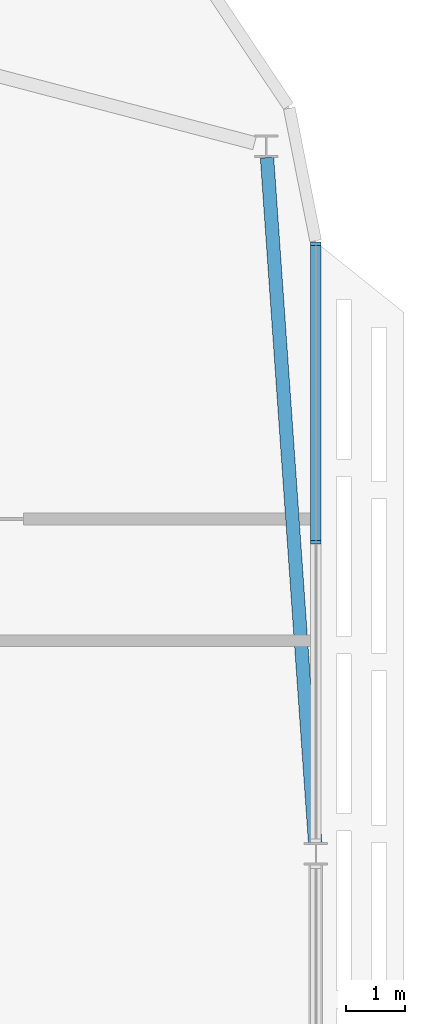
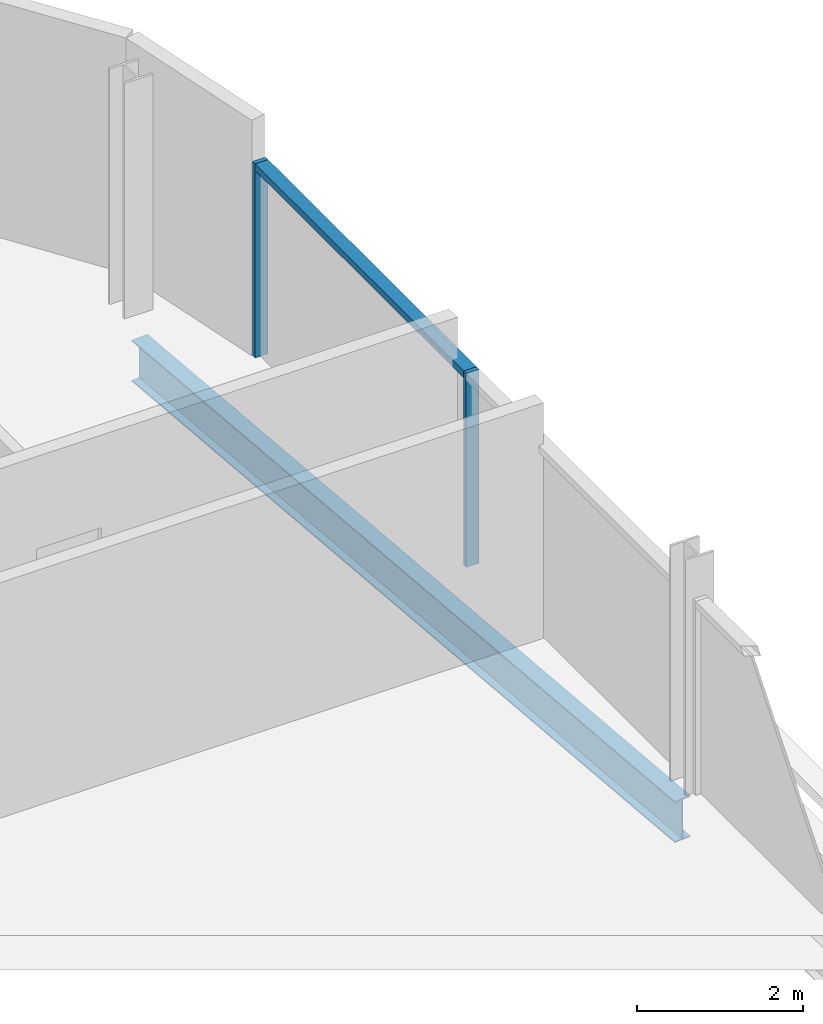
# One storey, part 15 of 32: 3 members, 1 beam, 1 element without a shape of its own.
"""IFC4 building model written with IfcOpenShell, lengths in metres."""

from ifc_helpers import new_model, si_unit, direction, frame, origin, origin_2d, place, context, subcontext, project, spatial, rectangle, i_section, extrude, material, material_profile, profile_set, type_object, element, aggregate, save


model = new_model("IFC4")

# Units and contexts
model_context = context("Model", 3, precision=1e-05, world=origin(), true_north=direction((0.0, 1.0)))
body_context = subcontext(model_context, "Body", "Model", "MODEL_VIEW")
ifc_project = project(units=[si_unit("LENGTHUNIT", "METRE"), si_unit("AREAUNIT", "SQUARE_METRE"), si_unit("VOLUMEUNIT", "CUBIC_METRE"), si_unit("PLANEANGLEUNIT", "RADIAN"), si_unit("MASSUNIT", "GRAM", prefix="KILO")], contexts=[model_context])

# Site, building, storey
site_placement = place(None, origin())
site = spatial("IfcSite", under=ifc_project, at=site_placement, CompositionType="ELEMENT")
building_placement = place(site_placement, origin())
building = spatial("IfcBuilding", under=site, at=building_placement, Name="Mahtab Terrace Research Tower", CompositionType="ELEMENT")
storey_placement = place(building_placement, frame((0.0, 0.0, 240.0)))
storey = spatial("IfcBuildingStorey", under=building, at=storey_placement, Name="L58", CompositionType="ELEMENT", Elevation=240.0)

# Curtain wall, members
ifc_material_1 = material(Name="Office ribbon curtain wall")
curtain_wall_type = type_object("IfcCurtainWallType", Name="Office ribbon curtain wall", PredefinedType="NOTDEFINED", material=ifc_material_1)
curtain_wall_placement = place(storey_placement, origin())
curtain_wall = element("IfcCurtainWall", 1, at=curtain_wall_placement, inside=storey, type_object=curtain_wall_type, Name="EN.L58.18.23", PredefinedType="NOTDEFINED")
ifc_material_2 = material(Name="Natural anodised aluminium", Category="aluminium")
ifc_material_profile_1 = material_profile(ifc_material_2, rectangle(XDim=0.179931640625, YDim=0.06005859375, at=origin_2d()), Name="MULLION 60x180")
ifc_profile_set_1 = profile_set([ifc_material_profile_1], Name="Natural anodised aluminium")
member_type_1 = type_object("IfcMemberType", Name="Office ribbon curtain wall mullion", PredefinedType="MULLION", material=ifc_profile_set_1)
member_1_placement = place(storey_placement, frame((54.0, 16.804931640625, 0.0), z_axis=(0.0, 0.0, 1.0), x_axis=(-1.0, 0.0, 0.0)))
member_1 = element("IfcMember", 2, at=member_1_placement, type_object=member_type_1, Name="CWO-7 mullion 2", PredefinedType="MULLION", context=body_context, shape_type="SweptSolid", body=[
    extrude(rectangle(XDim=0.179931640625, YDim=0.06005859375, at=origin_2d()), origin(), (0.0, 0.0, 1.0), 2.852783203125),
])
member_2_placement = place(storey_placement, frame((54.0, 21.886962890625, 0.0), z_axis=(0.0, 0.0, 1.0), x_axis=(-1.0, 0.0, 0.0)))
member_2 = element("IfcMember", 3, at=member_2_placement, type_object=member_type_1, Name="CWO-7 mullion 3", PredefinedType="MULLION", context=body_context, shape_type="SweptSolid", body=[
    extrude(rectangle(XDim=0.179931640625, YDim=0.06005859375, at=origin_2d()), origin(), (0.0, 0.0, 1.0), 2.852783203125),
])
ifc_material_profile_2 = material_profile(ifc_material_2, rectangle(XDim=0.179931640625, YDim=0.10009765625, at=origin_2d()), Name="TRANSOM 100x180")
ifc_profile_set_2 = profile_set([ifc_material_profile_2], Name="Natural anodised aluminium")
member_type_2 = type_object("IfcMemberType", Name="Office ribbon curtain wall transom", PredefinedType="USERDEFINED", material=ifc_profile_set_2)
member_3_placement = place(storey_placement, frame((54.0, 16.8349609375, 2.802978515625), z_axis=(0.0, 1.0, 0.0), x_axis=(-1.0, 0.0, 0.0)))
member_3 = element("IfcMember", 4, at=member_3_placement, type_object=member_type_2, Name="CWO-7 transom 2", ObjectType="TRANSOM", PredefinedType="USERDEFINED", context=body_context, shape_type="SweptSolid", body=[
    extrude(rectangle(XDim=0.179931640625, YDim=0.10009765625, at=origin_2d()), origin(), (0.0, 0.0, 1.0), 5.02197265625),
])
aggregate(curtain_wall, [member_1, member_2, member_3])

# Beam
ifc_material_3 = material(Name="Steel ASTM A992 Gr 50", Category="steel")
ifc_material_profile_3 = material_profile(ifc_material_3, i_section(OverallWidth=0.228271484375, OverallDepth=0.607177734375, WebThickness=0.01123046875, FlangeThickness=0.017333984375, at=origin_2d()), Name="W24X76")
ifc_profile_set_3 = profile_set([ifc_material_profile_3], Name="Steel ASTM A992 Gr 50")
beam_type = type_object("IfcBeamType", Name="W24x76 beam BS2476", PredefinedType="BEAM", material=ifc_profile_set_3)
beam_placement = place(storey_placement, frame((53.986328125, 11.693115234375, -0.6435546875), z_axis=(-0.070055060722, 0.997543126119, 0.0), x_axis=(-0.997543126119, -0.070055060722, 0.0)))
element("IfcBeam", 5, at=beam_placement, inside=storey, type_object=beam_type, Name="Spandrel beam L58 22", PredefinedType="BEAM", context=body_context, shape_type="SweptSolid", body=[
    extrude(i_section(OverallWidth=0.228271484375, OverallDepth=0.607177734375, WebThickness=0.01123046875, FlangeThickness=0.017333984375, at=origin_2d()), origin(), (0.0, 0.0, 1.0), 11.688720703125),
])

save(model, "model.ifc")
